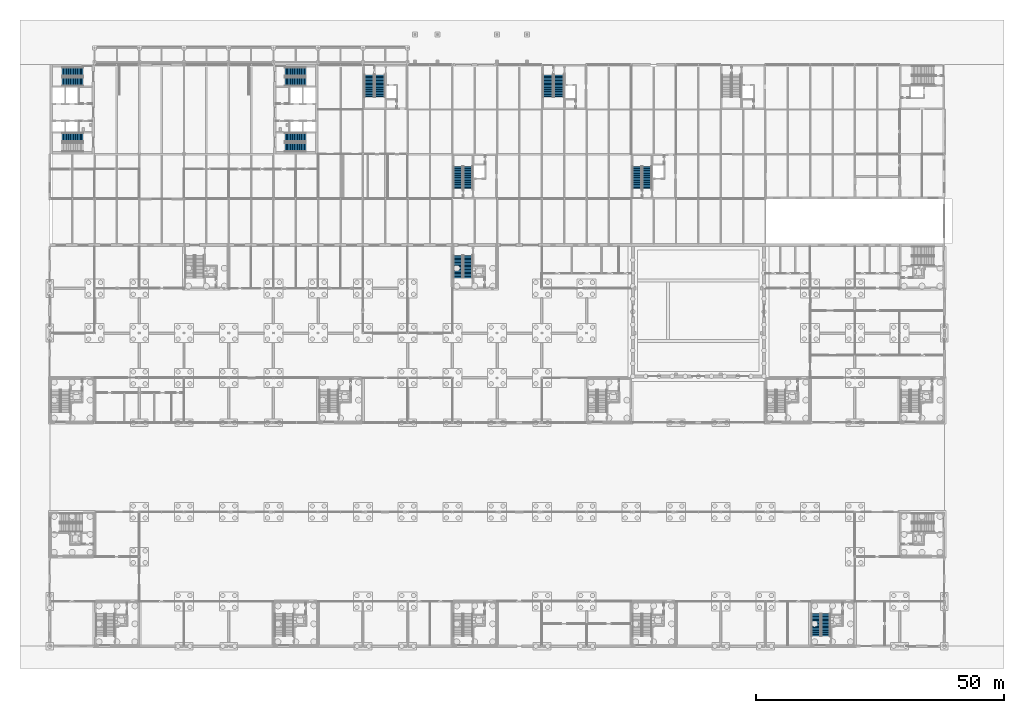
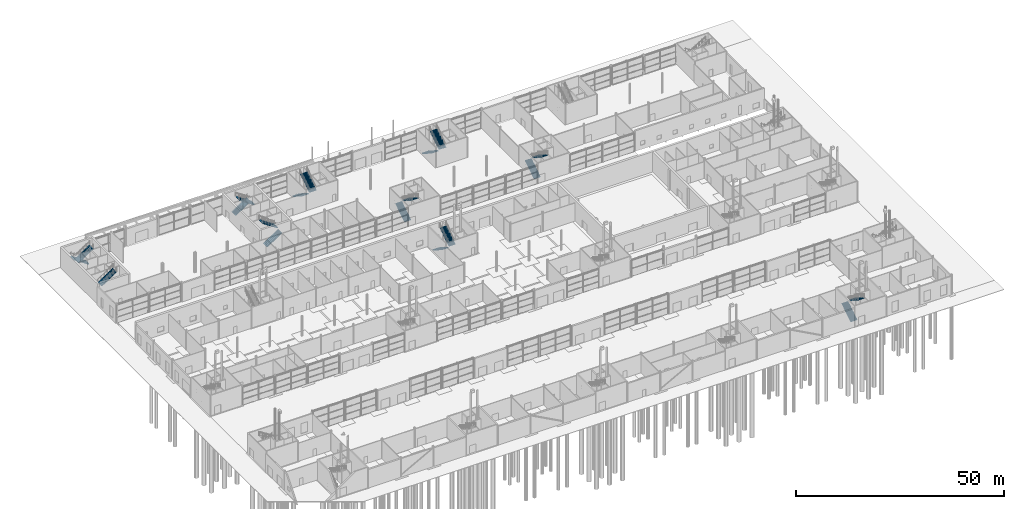
# One storey, part 82 of 97: 19 stair flights, 10 elements without a shape of their own.
"""IFC4 building model written with IfcOpenShell, lengths in metres."""

from ifc_helpers import new_model, si_unit, direction, frame, origin, place, context, subcontext, project, spatial, polyline, outline, extrude, material, type_object, element, aggregate, save


model = new_model("IFC4")

# Units and contexts
model_context = context("Model", 3, precision=1e-05, world=origin(), true_north=direction((0.0, 1.0)))
body_context = subcontext(model_context, "Body", "Model", "MODEL_VIEW")
ifc_project = project(units=[si_unit("LENGTHUNIT", "METRE"), si_unit("AREAUNIT", "SQUARE_METRE"), si_unit("VOLUMEUNIT", "CUBIC_METRE"), si_unit("PLANEANGLEUNIT", "RADIAN"), si_unit("MASSUNIT", "GRAM", prefix="KILO")], contexts=[model_context])

# Site, building, storey
site_placement = place(None, origin())
site = spatial("IfcSite", under=ifc_project, at=site_placement, CompositionType="ELEMENT")
building_placement = place(site_placement, origin())
building = spatial("IfcBuilding", under=site, at=building_placement, Name="Corbel Yard City Hall", CompositionType="ELEMENT")
storey_placement = place(building_placement, origin())
storey = spatial("IfcBuildingStorey", under=building, at=storey_placement, Name="L00", CompositionType="ELEMENT", Elevation=0.0)

# Stair, stair flights
ifc_material = material(Name="Concrete N40 (40 MPa)", Category="concrete")
stair_type_1 = type_object("IfcStairType", Name="ST2", PredefinedType="HALF_TURN_STAIR", material=ifc_material)
stair_1_placement = place(storey_placement, origin())
stair_1 = element("IfcStair", 1, at=stair_1_placement, inside=storey, type_object=stair_type_1, Name="Exit stair L00", PredefinedType="HALF_TURN_STAIR")
stair_flight_type_1 = type_object("IfcStairFlightType", Name="FL2", PredefinedType="STRAIGHT", material=ifc_material)
stair_flight_1_placement = place(storey_placement, frame((154.14990234375, 2.050048828125, 0.0), z_axis=(0.0, 0.0, 1.0), x_axis=(0.0, 1.0, 0.0)))
stair_flight_1 = element("IfcStairFlight", 2, at=stair_flight_1_placement, type_object=stair_flight_type_1, Name="PS5 flight 1", NumberOfRisers=17, NumberOfTreads=16, PredefinedType="STRAIGHT", RiserHeight=0.176471, TreadLength=0.28, context=body_context, shape_type="SweptSolid", body=[
    extrude(outline(polyline([(0.0, 0.0), (0.0, 0.176513671875), (0.280029296875, 0.176513671875), (0.280029296875, 0.35302734375), (0.56005859375, 0.35302734375), (0.56005859375, 0.529296875), (0.840087890625, 0.529296875), (0.840087890625, 0.705810546875), (1.1201171875, 0.705810546875), (1.1201171875, 0.88232421875), (1.39990234375, 0.88232421875), (1.39990234375, 1.058837890625), (1.679931640625, 1.058837890625), (1.679931640625, 1.2353515625), (1.9599609375, 1.2353515625), (1.9599609375, 1.411865234375), (2.239990234375, 1.411865234375), (2.239990234375, 1.588134765625), (2.52001953125, 1.588134765625), (2.52001953125, 1.7646484375), (2.800048828125, 1.7646484375), (2.800048828125, 1.941162109375), (3.080078125, 1.941162109375), (3.080078125, 2.11767578125), (3.360107421875, 2.11767578125), (3.360107421875, 2.294189453125), (3.639892578125, 2.294189453125), (3.639892578125, 2.470703125), (3.919921875, 2.470703125), (3.919921875, 2.64697265625), (4.199951171875, 2.64697265625), (4.199951171875, 2.823486328125), (4.47998046875, 2.823486328125), (4.47998046875, 3.0), (4.47998046875, 2.646240234375), (0.28125, 0.0), (0.0, 0.0)])), frame((0.0, 0.89990234375, 0.0), z_axis=(0.0, -1.0, 0.0), x_axis=(1.0, 0.0, 0.0)), (0.0, 0.0, 1.0), 1.800048828125),
])
stair_flight_2_placement = place(storey_placement, frame((156.14990234375, 6.530029296875, 3.0), z_axis=(0.0, 0.0, 1.0), x_axis=(0.0, -1.0, 0.0)))
stair_flight_2 = element("IfcStairFlight", 3, at=stair_flight_2_placement, type_object=stair_flight_type_1, Name="PS5 flight 2", NumberOfRisers=17, NumberOfTreads=16, PredefinedType="STRAIGHT", RiserHeight=0.176471, TreadLength=0.28, context=body_context, shape_type="SweptSolid", body=[
    extrude(outline(polyline([(0.0, 0.0), (0.0, 0.176513671875), (0.280029296875, 0.176513671875), (0.280029296875, 0.35302734375), (0.56005859375, 0.35302734375), (0.56005859375, 0.529296875), (0.840087890625, 0.529296875), (0.840087890625, 0.705810546875), (1.1201171875, 0.705810546875), (1.1201171875, 0.88232421875), (1.39990234375, 0.88232421875), (1.39990234375, 1.058837890625), (1.679931640625, 1.058837890625), (1.679931640625, 1.2353515625), (1.9599609375, 1.2353515625), (1.9599609375, 1.411865234375), (2.239990234375, 1.411865234375), (2.239990234375, 1.588134765625), (2.52001953125, 1.588134765625), (2.52001953125, 1.7646484375), (2.800048828125, 1.7646484375), (2.800048828125, 1.941162109375), (3.080078125, 1.941162109375), (3.080078125, 2.11767578125), (3.360107421875, 2.11767578125), (3.360107421875, 2.294189453125), (3.639892578125, 2.294189453125), (3.639892578125, 2.470703125), (3.919921875, 2.470703125), (3.919921875, 2.64697265625), (4.199951171875, 2.64697265625), (4.199951171875, 2.823486328125), (4.47998046875, 2.823486328125), (4.47998046875, 3.0), (4.47998046875, 2.646240234375), (0.28125, 0.0), (0.0, 0.0)])), frame((0.0, 0.89990234375, 0.0), z_axis=(0.0, -1.0, 0.0), x_axis=(1.0, 0.0, 0.0)), (0.0, 0.0, 1.0), 1.800048828125),
])
aggregate(stair_1, [stair_flight_1, stair_flight_2])

stair_2_placement = place(storey_placement, origin())
stair_2 = element("IfcStair", 4, at=stair_2_placement, inside=storey, type_object=stair_type_1, Name="Exit stair L00", PredefinedType="HALF_TURN_STAIR")
stair_flight_3_placement = place(storey_placement, frame((82.14990234375, 78.60009765625, 0.0), z_axis=(0.0, 0.0, 1.0), x_axis=(0.0, -1.0, 0.0)))
stair_flight_3 = element("IfcStairFlight", 5, at=stair_flight_3_placement, type_object=stair_flight_type_1, Name="PS14 flight 1", NumberOfRisers=17, NumberOfTreads=16, PredefinedType="STRAIGHT", RiserHeight=0.176471, TreadLength=0.28, context=body_context, shape_type="SweptSolid", body=[
    extrude(outline(polyline([(0.0, 0.0), (0.0, 0.176513671875), (0.280029296875, 0.176513671875), (0.280029296875, 0.35302734375), (0.56005859375, 0.35302734375), (0.56005859375, 0.529296875), (0.840087890625, 0.529296875), (0.840087890625, 0.705810546875), (1.1201171875, 0.705810546875), (1.1201171875, 0.88232421875), (1.39990234375, 0.88232421875), (1.39990234375, 1.058837890625), (1.679931640625, 1.058837890625), (1.679931640625, 1.2353515625), (1.9599609375, 1.2353515625), (1.9599609375, 1.411865234375), (2.239990234375, 1.411865234375), (2.239990234375, 1.588134765625), (2.52001953125, 1.588134765625), (2.52001953125, 1.7646484375), (2.800048828125, 1.7646484375), (2.800048828125, 1.941162109375), (3.080078125, 1.941162109375), (3.080078125, 2.11767578125), (3.360107421875, 2.11767578125), (3.360107421875, 2.294189453125), (3.639892578125, 2.294189453125), (3.639892578125, 2.470703125), (3.919921875, 2.470703125), (3.919921875, 2.64697265625), (4.199951171875, 2.64697265625), (4.199951171875, 2.823486328125), (4.47998046875, 2.823486328125), (4.47998046875, 3.0), (4.47998046875, 2.646240234375), (0.28125, 0.0), (0.0, 0.0)])), frame((0.0, 0.89990234375, 0.0), z_axis=(0.0, -1.0, 0.0), x_axis=(1.0, 0.0, 0.0)), (0.0, 0.0, 1.0), 1.800048828125),
])
stair_flight_4_placement = place(storey_placement, frame((84.14990234375, 74.1201171875, 3.0), z_axis=(0.0, 0.0, 1.0), x_axis=(0.0, 1.0, 0.0)))
stair_flight_4 = element("IfcStairFlight", 6, at=stair_flight_4_placement, type_object=stair_flight_type_1, Name="PS14 flight 2", NumberOfRisers=17, NumberOfTreads=16, PredefinedType="STRAIGHT", RiserHeight=0.176471, TreadLength=0.28, context=body_context, shape_type="SweptSolid", body=[
    extrude(outline(polyline([(0.0, 0.0), (0.0, 0.176513671875), (0.280029296875, 0.176513671875), (0.280029296875, 0.35302734375), (0.56005859375, 0.35302734375), (0.56005859375, 0.529296875), (0.840087890625, 0.529296875), (0.840087890625, 0.705810546875), (1.1201171875, 0.705810546875), (1.1201171875, 0.88232421875), (1.39990234375, 0.88232421875), (1.39990234375, 1.058837890625), (1.679931640625, 1.058837890625), (1.679931640625, 1.2353515625), (1.9599609375, 1.2353515625), (1.9599609375, 1.411865234375), (2.239990234375, 1.411865234375), (2.239990234375, 1.588134765625), (2.52001953125, 1.588134765625), (2.52001953125, 1.7646484375), (2.800048828125, 1.7646484375), (2.800048828125, 1.941162109375), (3.080078125, 1.941162109375), (3.080078125, 2.11767578125), (3.360107421875, 2.11767578125), (3.360107421875, 2.294189453125), (3.639892578125, 2.294189453125), (3.639892578125, 2.470703125), (3.919921875, 2.470703125), (3.919921875, 2.64697265625), (4.199951171875, 2.64697265625), (4.199951171875, 2.823486328125), (4.47998046875, 2.823486328125), (4.47998046875, 3.0), (4.47998046875, 2.646240234375), (0.28125, 0.0), (0.0, 0.0)])), frame((0.0, 0.89990234375, 0.0), z_axis=(0.0, -1.0, 0.0), x_axis=(1.0, 0.0, 0.0)), (0.0, 0.0, 1.0), 1.800048828125),
])
aggregate(stair_2, [stair_flight_3, stair_flight_4])

stair_3_placement = place(storey_placement, origin())
stair_3 = element("IfcStair", 7, at=stair_3_placement, inside=storey, type_object=stair_type_1, Name="Exit stair L00", PredefinedType="HALF_TURN_STAIR")
stair_flight_5_placement = place(storey_placement, frame((82.14990234375, 92.050048828125, 0.0), z_axis=(0.0, 0.0, 1.0), x_axis=(0.0, 1.0, 0.0)))
stair_flight_5 = element("IfcStairFlight", 8, at=stair_flight_5_placement, type_object=stair_flight_type_1, Name="PS20 flight 1", NumberOfRisers=17, NumberOfTreads=16, PredefinedType="STRAIGHT", RiserHeight=0.176471, TreadLength=0.28, context=body_context, shape_type="SweptSolid", body=[
    extrude(outline(polyline([(0.0, 0.0), (0.0, 0.176513671875), (0.280029296875, 0.176513671875), (0.280029296875, 0.35302734375), (0.56005859375, 0.35302734375), (0.56005859375, 0.529296875), (0.840087890625, 0.529296875), (0.840087890625, 0.705810546875), (1.1201171875, 0.705810546875), (1.1201171875, 0.88232421875), (1.39990234375, 0.88232421875), (1.39990234375, 1.058837890625), (1.679931640625, 1.058837890625), (1.679931640625, 1.2353515625), (1.9599609375, 1.2353515625), (1.9599609375, 1.411865234375), (2.239990234375, 1.411865234375), (2.239990234375, 1.588134765625), (2.52001953125, 1.588134765625), (2.52001953125, 1.7646484375), (2.800048828125, 1.7646484375), (2.800048828125, 1.941162109375), (3.080078125, 1.941162109375), (3.080078125, 2.11767578125), (3.360107421875, 2.11767578125), (3.360107421875, 2.294189453125), (3.639892578125, 2.294189453125), (3.639892578125, 2.470703125), (3.919921875, 2.470703125), (3.919921875, 2.64697265625), (4.199951171875, 2.64697265625), (4.199951171875, 2.823486328125), (4.47998046875, 2.823486328125), (4.47998046875, 3.0), (4.47998046875, 2.646240234375), (0.28125, 0.0), (0.0, 0.0)])), frame((0.0, 0.89990234375, 0.0), z_axis=(0.0, -1.0, 0.0), x_axis=(1.0, 0.0, 0.0)), (0.0, 0.0, 1.0), 1.800048828125),
])
stair_flight_6_placement = place(storey_placement, frame((84.14990234375, 96.530029296875, 3.0), z_axis=(0.0, 0.0, 1.0), x_axis=(0.0, -1.0, 0.0)))
stair_flight_6 = element("IfcStairFlight", 9, at=stair_flight_6_placement, type_object=stair_flight_type_1, Name="PS20 flight 2", NumberOfRisers=17, NumberOfTreads=16, PredefinedType="STRAIGHT", RiserHeight=0.176471, TreadLength=0.28, context=body_context, shape_type="SweptSolid", body=[
    extrude(outline(polyline([(0.0, 0.0), (0.0, 0.176513671875), (0.280029296875, 0.176513671875), (0.280029296875, 0.35302734375), (0.56005859375, 0.35302734375), (0.56005859375, 0.529296875), (0.840087890625, 0.529296875), (0.840087890625, 0.705810546875), (1.1201171875, 0.705810546875), (1.1201171875, 0.88232421875), (1.39990234375, 0.88232421875), (1.39990234375, 1.058837890625), (1.679931640625, 1.058837890625), (1.679931640625, 1.2353515625), (1.9599609375, 1.2353515625), (1.9599609375, 1.411865234375), (2.239990234375, 1.411865234375), (2.239990234375, 1.588134765625), (2.52001953125, 1.588134765625), (2.52001953125, 1.7646484375), (2.800048828125, 1.7646484375), (2.800048828125, 1.941162109375), (3.080078125, 1.941162109375), (3.080078125, 2.11767578125), (3.360107421875, 2.11767578125), (3.360107421875, 2.294189453125), (3.639892578125, 2.294189453125), (3.639892578125, 2.470703125), (3.919921875, 2.470703125), (3.919921875, 2.64697265625), (4.199951171875, 2.64697265625), (4.199951171875, 2.823486328125), (4.47998046875, 2.823486328125), (4.47998046875, 3.0), (4.47998046875, 2.646240234375), (0.28125, 0.0), (0.0, 0.0)])), frame((0.0, 0.89990234375, 0.0), z_axis=(0.0, -1.0, 0.0), x_axis=(1.0, 0.0, 0.0)), (0.0, 0.0, 1.0), 1.800048828125),
])
aggregate(stair_3, [stair_flight_5, stair_flight_6])

stair_4_placement = place(storey_placement, origin())
stair_4 = element("IfcStair", 10, at=stair_4_placement, inside=storey, type_object=stair_type_1, Name="Exit stair L00", PredefinedType="HALF_TURN_STAIR")
stair_flight_7_placement = place(storey_placement, frame((118.14990234375, 92.050048828125, 0.0), z_axis=(0.0, 0.0, 1.0), x_axis=(0.0, 1.0, 0.0)))
stair_flight_7 = element("IfcStairFlight", 11, at=stair_flight_7_placement, type_object=stair_flight_type_1, Name="PS21 flight 1", NumberOfRisers=17, NumberOfTreads=16, PredefinedType="STRAIGHT", RiserHeight=0.176471, TreadLength=0.28, context=body_context, shape_type="SweptSolid", body=[
    extrude(outline(polyline([(0.0, 0.0), (0.0, 0.176513671875), (0.280029296875, 0.176513671875), (0.280029296875, 0.35302734375), (0.56005859375, 0.35302734375), (0.56005859375, 0.529296875), (0.840087890625, 0.529296875), (0.840087890625, 0.705810546875), (1.1201171875, 0.705810546875), (1.1201171875, 0.88232421875), (1.39990234375, 0.88232421875), (1.39990234375, 1.058837890625), (1.679931640625, 1.058837890625), (1.679931640625, 1.2353515625), (1.9599609375, 1.2353515625), (1.9599609375, 1.411865234375), (2.239990234375, 1.411865234375), (2.239990234375, 1.588134765625), (2.52001953125, 1.588134765625), (2.52001953125, 1.7646484375), (2.800048828125, 1.7646484375), (2.800048828125, 1.941162109375), (3.080078125, 1.941162109375), (3.080078125, 2.11767578125), (3.360107421875, 2.11767578125), (3.360107421875, 2.294189453125), (3.639892578125, 2.294189453125), (3.639892578125, 2.470703125), (3.919921875, 2.470703125), (3.919921875, 2.64697265625), (4.199951171875, 2.64697265625), (4.199951171875, 2.823486328125), (4.47998046875, 2.823486328125), (4.47998046875, 3.0), (4.47998046875, 2.646240234375), (0.28125, 0.0), (0.0, 0.0)])), frame((0.0, 0.89990234375, 0.0), z_axis=(0.0, -1.0, 0.0), x_axis=(1.0, 0.0, 0.0)), (0.0, 0.0, 1.0), 1.800048828125),
])
stair_flight_8_placement = place(storey_placement, frame((120.14990234375, 96.530029296875, 3.0), z_axis=(0.0, 0.0, 1.0), x_axis=(0.0, -1.0, 0.0)))
stair_flight_8 = element("IfcStairFlight", 12, at=stair_flight_8_placement, type_object=stair_flight_type_1, Name="PS21 flight 2", NumberOfRisers=17, NumberOfTreads=16, PredefinedType="STRAIGHT", RiserHeight=0.176471, TreadLength=0.28, context=body_context, shape_type="SweptSolid", body=[
    extrude(outline(polyline([(0.0, 0.0), (0.0, 0.176513671875), (0.280029296875, 0.176513671875), (0.280029296875, 0.35302734375), (0.56005859375, 0.35302734375), (0.56005859375, 0.529296875), (0.840087890625, 0.529296875), (0.840087890625, 0.705810546875), (1.1201171875, 0.705810546875), (1.1201171875, 0.88232421875), (1.39990234375, 0.88232421875), (1.39990234375, 1.058837890625), (1.679931640625, 1.058837890625), (1.679931640625, 1.2353515625), (1.9599609375, 1.2353515625), (1.9599609375, 1.411865234375), (2.239990234375, 1.411865234375), (2.239990234375, 1.588134765625), (2.52001953125, 1.588134765625), (2.52001953125, 1.7646484375), (2.800048828125, 1.7646484375), (2.800048828125, 1.941162109375), (3.080078125, 1.941162109375), (3.080078125, 2.11767578125), (3.360107421875, 2.11767578125), (3.360107421875, 2.294189453125), (3.639892578125, 2.294189453125), (3.639892578125, 2.470703125), (3.919921875, 2.470703125), (3.919921875, 2.64697265625), (4.199951171875, 2.64697265625), (4.199951171875, 2.823486328125), (4.47998046875, 2.823486328125), (4.47998046875, 3.0), (4.47998046875, 2.646240234375), (0.28125, 0.0), (0.0, 0.0)])), frame((0.0, 0.89990234375, 0.0), z_axis=(0.0, -1.0, 0.0), x_axis=(1.0, 0.0, 0.0)), (0.0, 0.0, 1.0), 1.800048828125),
])
aggregate(stair_4, [stair_flight_7, stair_flight_8])

stair_type_2 = type_object("IfcStairType", Name="ST32", PredefinedType="HALF_TURN_STAIR", material=ifc_material)
stair_5_placement = place(storey_placement, origin())
stair_5 = element("IfcStair", 13, at=stair_5_placement, inside=storey, type_object=stair_type_2, Name="Exit stair L00", PredefinedType="HALF_TURN_STAIR")
stair_flight_type_2 = type_object("IfcStairFlightType", Name="FL32", PredefinedType="STRAIGHT", material=ifc_material)
stair_flight_9_placement = place(storey_placement, frame((64.25, 114.949951171875, 0.0), z_axis=(0.0, 0.0, 1.0), x_axis=(0.0, -1.0, 0.0)))
stair_flight_9 = element("IfcStairFlight", 14, at=stair_flight_9_placement, type_object=stair_flight_type_2, Name="PS16 flight 1", NumberOfRisers=17, NumberOfTreads=16, PredefinedType="STRAIGHT", RiserHeight=0.176471, TreadLength=0.28, context=body_context, shape_type="SweptSolid", body=[
    extrude(outline(polyline([(0.0, 0.0), (0.0, 0.176513671875), (0.280029296875, 0.176513671875), (0.280029296875, 0.35302734375), (0.56005859375, 0.35302734375), (0.56005859375, 0.529296875), (0.840087890625, 0.529296875), (0.840087890625, 0.705810546875), (1.1201171875, 0.705810546875), (1.1201171875, 0.88232421875), (1.39990234375, 0.88232421875), (1.39990234375, 1.058837890625), (1.679931640625, 1.058837890625), (1.679931640625, 1.2353515625), (1.9599609375, 1.2353515625), (1.9599609375, 1.411865234375), (2.239990234375, 1.411865234375), (2.239990234375, 1.588134765625), (2.52001953125, 1.588134765625), (2.52001953125, 1.7646484375), (2.800048828125, 1.7646484375), (2.800048828125, 1.941162109375), (3.080078125, 1.941162109375), (3.080078125, 2.11767578125), (3.360107421875, 2.11767578125), (3.360107421875, 2.294189453125), (3.639892578125, 2.294189453125), (3.639892578125, 2.470703125), (3.919921875, 2.470703125), (3.919921875, 2.64697265625), (4.199951171875, 2.64697265625), (4.199951171875, 2.823486328125), (4.47998046875, 2.823486328125), (4.47998046875, 3.0), (4.47998046875, 2.646240234375), (0.28125, 0.0), (0.0, 0.0)])), frame((0.0, 1.0, 0.0), z_axis=(0.0, -1.0, 0.0), x_axis=(1.0, 0.0, 0.0)), (0.0, 0.0, 1.0), 2.0),
])
stair_flight_10_placement = place(storey_placement, frame((66.449951171875, 110.469970703125, 3.0), z_axis=(0.0, 0.0, 1.0), x_axis=(0.0, 1.0, 0.0)))
stair_flight_10 = element("IfcStairFlight", 15, at=stair_flight_10_placement, type_object=stair_flight_type_2, Name="PS16 flight 2", NumberOfRisers=17, NumberOfTreads=16, PredefinedType="STRAIGHT", RiserHeight=0.176471, TreadLength=0.28, context=body_context, shape_type="SweptSolid", body=[
    extrude(outline(polyline([(0.0, 0.0), (0.0, 0.176513671875), (0.280029296875, 0.176513671875), (0.280029296875, 0.35302734375), (0.56005859375, 0.35302734375), (0.56005859375, 0.529296875), (0.840087890625, 0.529296875), (0.840087890625, 0.705810546875), (1.1201171875, 0.705810546875), (1.1201171875, 0.88232421875), (1.39990234375, 0.88232421875), (1.39990234375, 1.058837890625), (1.679931640625, 1.058837890625), (1.679931640625, 1.2353515625), (1.9599609375, 1.2353515625), (1.9599609375, 1.411865234375), (2.239990234375, 1.411865234375), (2.239990234375, 1.588134765625), (2.52001953125, 1.588134765625), (2.52001953125, 1.7646484375), (2.800048828125, 1.7646484375), (2.800048828125, 1.941162109375), (3.080078125, 1.941162109375), (3.080078125, 2.11767578125), (3.360107421875, 2.11767578125), (3.360107421875, 2.294189453125), (3.639892578125, 2.294189453125), (3.639892578125, 2.470703125), (3.919921875, 2.470703125), (3.919921875, 2.64697265625), (4.199951171875, 2.64697265625), (4.199951171875, 2.823486328125), (4.47998046875, 2.823486328125), (4.47998046875, 3.0), (4.47998046875, 2.646240234375), (0.28125, 0.0), (0.0, 0.0)])), frame((0.0, 1.0, 0.0), z_axis=(0.0, -1.0, 0.0), x_axis=(1.0, 0.0, 0.0)), (0.0, 0.0, 1.0), 2.0),
])
aggregate(stair_5, [stair_flight_9, stair_flight_10])

stair_6_placement = place(storey_placement, origin())
stair_6 = element("IfcStair", 16, at=stair_6_placement, inside=storey, type_object=stair_type_2, Name="Exit stair L00", PredefinedType="HALF_TURN_STAIR")
stair_flight_11_placement = place(storey_placement, frame((100.25, 114.949951171875, 0.0), z_axis=(0.0, 0.0, 1.0), x_axis=(0.0, -1.0, 0.0)))
stair_flight_11 = element("IfcStairFlight", 17, at=stair_flight_11_placement, type_object=stair_flight_type_2, Name="PS17 flight 1", NumberOfRisers=17, NumberOfTreads=16, PredefinedType="STRAIGHT", RiserHeight=0.176471, TreadLength=0.28, context=body_context, shape_type="SweptSolid", body=[
    extrude(outline(polyline([(0.0, 0.0), (0.0, 0.176513671875), (0.280029296875, 0.176513671875), (0.280029296875, 0.35302734375), (0.56005859375, 0.35302734375), (0.56005859375, 0.529296875), (0.840087890625, 0.529296875), (0.840087890625, 0.705810546875), (1.1201171875, 0.705810546875), (1.1201171875, 0.88232421875), (1.39990234375, 0.88232421875), (1.39990234375, 1.058837890625), (1.679931640625, 1.058837890625), (1.679931640625, 1.2353515625), (1.9599609375, 1.2353515625), (1.9599609375, 1.411865234375), (2.239990234375, 1.411865234375), (2.239990234375, 1.588134765625), (2.52001953125, 1.588134765625), (2.52001953125, 1.7646484375), (2.800048828125, 1.7646484375), (2.800048828125, 1.941162109375), (3.080078125, 1.941162109375), (3.080078125, 2.11767578125), (3.360107421875, 2.11767578125), (3.360107421875, 2.294189453125), (3.639892578125, 2.294189453125), (3.639892578125, 2.470703125), (3.919921875, 2.470703125), (3.919921875, 2.64697265625), (4.199951171875, 2.64697265625), (4.199951171875, 2.823486328125), (4.47998046875, 2.823486328125), (4.47998046875, 3.0), (4.47998046875, 2.646240234375), (0.28125, 0.0), (0.0, 0.0)])), frame((0.0, 1.0, 0.0), z_axis=(0.0, -1.0, 0.0), x_axis=(1.0, 0.0, 0.0)), (0.0, 0.0, 1.0), 2.0),
])
stair_flight_12_placement = place(storey_placement, frame((102.449951171875, 110.469970703125, 3.0), z_axis=(0.0, 0.0, 1.0), x_axis=(0.0, 1.0, 0.0)))
stair_flight_12 = element("IfcStairFlight", 18, at=stair_flight_12_placement, type_object=stair_flight_type_2, Name="PS17 flight 2", NumberOfRisers=17, NumberOfTreads=16, PredefinedType="STRAIGHT", RiserHeight=0.176471, TreadLength=0.28, context=body_context, shape_type="SweptSolid", body=[
    extrude(outline(polyline([(0.0, 0.0), (0.0, 0.176513671875), (0.280029296875, 0.176513671875), (0.280029296875, 0.35302734375), (0.56005859375, 0.35302734375), (0.56005859375, 0.529296875), (0.840087890625, 0.529296875), (0.840087890625, 0.705810546875), (1.1201171875, 0.705810546875), (1.1201171875, 0.88232421875), (1.39990234375, 0.88232421875), (1.39990234375, 1.058837890625), (1.679931640625, 1.058837890625), (1.679931640625, 1.2353515625), (1.9599609375, 1.2353515625), (1.9599609375, 1.411865234375), (2.239990234375, 1.411865234375), (2.239990234375, 1.588134765625), (2.52001953125, 1.588134765625), (2.52001953125, 1.7646484375), (2.800048828125, 1.7646484375), (2.800048828125, 1.941162109375), (3.080078125, 1.941162109375), (3.080078125, 2.11767578125), (3.360107421875, 2.11767578125), (3.360107421875, 2.294189453125), (3.639892578125, 2.294189453125), (3.639892578125, 2.470703125), (3.919921875, 2.470703125), (3.919921875, 2.64697265625), (4.199951171875, 2.64697265625), (4.199951171875, 2.823486328125), (4.47998046875, 2.823486328125), (4.47998046875, 3.0), (4.47998046875, 2.646240234375), (0.28125, 0.0), (0.0, 0.0)])), frame((0.0, 1.0, 0.0), z_axis=(0.0, -1.0, 0.0), x_axis=(1.0, 0.0, 0.0)), (0.0, 0.0, 1.0), 2.0),
])
aggregate(stair_6, [stair_flight_11, stair_flight_12])

# Stair, stair flight
stair_type_3 = type_object("IfcStairType", Name="ST6", PredefinedType="HALF_TURN_STAIR", material=ifc_material)
stair_7_placement = place(storey_placement, origin())
stair_7 = element("IfcStair", 19, at=stair_7_placement, inside=storey, type_object=stair_type_3, Name="Exit stair ST-W1 L00", PredefinedType="HALF_TURN_STAIR")
stair_flight_type_3 = type_object("IfcStairFlightType", Name="FL6", PredefinedType="STRAIGHT", material=ifc_material)
stair_flight_13_placement = place(storey_placement, frame((2.5, 102.39990234375, 3.0), z_axis=(0.0, 0.0, 1.0), x_axis=(1.0, 0.0, 0.0)))
stair_flight_13 = element("IfcStairFlight", 20, at=stair_flight_13_placement, type_object=stair_flight_type_3, Name="ST-W1 flight 2", NumberOfRisers=16, NumberOfTreads=15, PredefinedType="STRAIGHT", RiserHeight=0.1875, TreadLength=0.28, context=body_context, shape_type="SweptSolid", body=[
    extrude(outline(polyline([(0.0, 0.0), (0.0, 0.1875), (0.280029296875, 0.1875), (0.280029296875, 0.375), (0.56005859375, 0.375), (0.56005859375, 0.5625), (0.840087890625, 0.5625), (0.840087890625, 0.75), (1.1201171875, 0.75), (1.1201171875, 0.9375), (1.39990234375, 0.9375), (1.39990234375, 1.125), (1.679931640625, 1.125), (1.679931640625, 1.3125), (1.9599609375, 1.3125), (1.9599609375, 1.5), (2.239990234375, 1.5), (2.239990234375, 1.6875), (2.52001953125, 1.6875), (2.52001953125, 1.875), (2.800048828125, 1.875), (2.800048828125, 2.0625), (3.080078125, 2.0625), (3.080078125, 2.25), (3.360107421875, 2.25), (3.360107421875, 2.4375), (3.639892578125, 2.4375), (3.639892578125, 2.625), (3.919921875, 2.625), (3.919921875, 2.8125), (4.199951171875, 2.8125), (4.199951171875, 3.0), (4.199951171875, 2.632080078125), (0.26953125, 0.0), (0.0, 0.0)])), frame((0.0, 0.89990234375, 0.0), z_axis=(0.0, -1.0, 0.0), x_axis=(1.0, 0.0, 0.0)), (0.0, 0.0, 1.0), 1.800048828125),
])
aggregate(stair_7, [stair_flight_13])

# Stair, stair flights
stair_8_placement = place(storey_placement, origin())
stair_8 = element("IfcStair", 21, at=stair_8_placement, inside=storey, type_object=stair_type_3, Name="Exit stair ST-W2 L00", PredefinedType="HALF_TURN_STAIR")
stair_flight_14_placement = place(storey_placement, frame((6.699951171875, 115.60009765625, 0.0), z_axis=(0.0, 0.0, 1.0), x_axis=(-1.0, 0.0, 0.0)))
stair_flight_14 = element("IfcStairFlight", 22, at=stair_flight_14_placement, type_object=stair_flight_type_3, Name="ST-W2 flight 1", NumberOfRisers=16, NumberOfTreads=15, PredefinedType="STRAIGHT", RiserHeight=0.1875, TreadLength=0.28, context=body_context, shape_type="SweptSolid", body=[
    extrude(outline(polyline([(0.0, 0.0), (0.0, 0.1875), (0.280029296875, 0.1875), (0.280029296875, 0.375), (0.56005859375, 0.375), (0.56005859375, 0.5625), (0.840087890625, 0.5625), (0.840087890625, 0.75), (1.1201171875, 0.75), (1.1201171875, 0.9375), (1.39990234375, 0.9375), (1.39990234375, 1.125), (1.679931640625, 1.125), (1.679931640625, 1.3125), (1.9599609375, 1.3125), (1.9599609375, 1.5), (2.239990234375, 1.5), (2.239990234375, 1.6875), (2.52001953125, 1.6875), (2.52001953125, 1.875), (2.800048828125, 1.875), (2.800048828125, 2.0625), (3.080078125, 2.0625), (3.080078125, 2.25), (3.360107421875, 2.25), (3.360107421875, 2.4375), (3.639892578125, 2.4375), (3.639892578125, 2.625), (3.919921875, 2.625), (3.919921875, 2.8125), (4.199951171875, 2.8125), (4.199951171875, 3.0), (4.199951171875, 2.632080078125), (0.26953125, 0.0), (0.0, 0.0)])), frame((0.0, 0.89990234375, 0.0), z_axis=(0.0, -1.0, 0.0), x_axis=(1.0, 0.0, 0.0)), (0.0, 0.0, 1.0), 1.800048828125),
])
stair_flight_15_placement = place(storey_placement, frame((2.5, 113.60009765625, 3.0), z_axis=(0.0, 0.0, 1.0), x_axis=(1.0, 0.0, 0.0)))
stair_flight_15 = element("IfcStairFlight", 23, at=stair_flight_15_placement, type_object=stair_flight_type_3, Name="ST-W2 flight 2", NumberOfRisers=16, NumberOfTreads=15, PredefinedType="STRAIGHT", RiserHeight=0.1875, TreadLength=0.28, context=body_context, shape_type="SweptSolid", body=[
    extrude(outline(polyline([(0.0, 0.0), (0.0, 0.1875), (0.280029296875, 0.1875), (0.280029296875, 0.375), (0.56005859375, 0.375), (0.56005859375, 0.5625), (0.840087890625, 0.5625), (0.840087890625, 0.75), (1.1201171875, 0.75), (1.1201171875, 0.9375), (1.39990234375, 0.9375), (1.39990234375, 1.125), (1.679931640625, 1.125), (1.679931640625, 1.3125), (1.9599609375, 1.3125), (1.9599609375, 1.5), (2.239990234375, 1.5), (2.239990234375, 1.6875), (2.52001953125, 1.6875), (2.52001953125, 1.875), (2.800048828125, 1.875), (2.800048828125, 2.0625), (3.080078125, 2.0625), (3.080078125, 2.25), (3.360107421875, 2.25), (3.360107421875, 2.4375), (3.639892578125, 2.4375), (3.639892578125, 2.625), (3.919921875, 2.625), (3.919921875, 2.8125), (4.199951171875, 2.8125), (4.199951171875, 3.0), (4.199951171875, 2.632080078125), (0.26953125, 0.0), (0.0, 0.0)])), frame((0.0, 0.89990234375, 0.0), z_axis=(0.0, -1.0, 0.0), x_axis=(1.0, 0.0, 0.0)), (0.0, 0.0, 1.0), 1.800048828125),
])
aggregate(stair_8, [stair_flight_14, stair_flight_15])

stair_9_placement = place(storey_placement, origin())
stair_9 = element("IfcStair", 24, at=stair_9_placement, inside=storey, type_object=stair_type_3, Name="Exit stair ST-E1 L00", PredefinedType="HALF_TURN_STAIR")
stair_flight_16_placement = place(storey_placement, frame((47.300048828125, 100.39990234375, 0.0), z_axis=(0.0, 0.0, 1.0), x_axis=(1.0, 0.0, 0.0)))
stair_flight_16 = element("IfcStairFlight", 25, at=stair_flight_16_placement, type_object=stair_flight_type_3, Name="ST-E1 flight 1", NumberOfRisers=16, NumberOfTreads=15, PredefinedType="STRAIGHT", RiserHeight=0.1875, TreadLength=0.28, context=body_context, shape_type="SweptSolid", body=[
    extrude(outline(polyline([(0.0, 0.0), (0.0, 0.1875), (0.280029296875, 0.1875), (0.280029296875, 0.375), (0.56005859375, 0.375), (0.56005859375, 0.5625), (0.840087890625, 0.5625), (0.840087890625, 0.75), (1.1201171875, 0.75), (1.1201171875, 0.9375), (1.39990234375, 0.9375), (1.39990234375, 1.125), (1.679931640625, 1.125), (1.679931640625, 1.3125), (1.9599609375, 1.3125), (1.9599609375, 1.5), (2.239990234375, 1.5), (2.239990234375, 1.6875), (2.52001953125, 1.6875), (2.52001953125, 1.875), (2.800048828125, 1.875), (2.800048828125, 2.0625), (3.080078125, 2.0625), (3.080078125, 2.25), (3.360107421875, 2.25), (3.360107421875, 2.4375), (3.639892578125, 2.4375), (3.639892578125, 2.625), (3.919921875, 2.625), (3.919921875, 2.8125), (4.199951171875, 2.8125), (4.199951171875, 3.0), (4.199951171875, 2.632080078125), (0.26953125, 0.0), (0.0, 0.0)])), frame((0.0, 0.89990234375, 0.0), z_axis=(0.0, -1.0, 0.0), x_axis=(1.0, 0.0, 0.0)), (0.0, 0.0, 1.0), 1.800048828125),
])
stair_flight_17_placement = place(storey_placement, frame((51.5, 102.39990234375, 3.0), z_axis=(0.0, 0.0, 1.0), x_axis=(-1.0, 0.0, 0.0)))
stair_flight_17 = element("IfcStairFlight", 26, at=stair_flight_17_placement, type_object=stair_flight_type_3, Name="ST-E1 flight 2", NumberOfRisers=16, NumberOfTreads=15, PredefinedType="STRAIGHT", RiserHeight=0.1875, TreadLength=0.28, context=body_context, shape_type="SweptSolid", body=[
    extrude(outline(polyline([(0.0, 0.0), (0.0, 0.1875), (0.280029296875, 0.1875), (0.280029296875, 0.375), (0.56005859375, 0.375), (0.56005859375, 0.5625), (0.840087890625, 0.5625), (0.840087890625, 0.75), (1.1201171875, 0.75), (1.1201171875, 0.9375), (1.39990234375, 0.9375), (1.39990234375, 1.125), (1.679931640625, 1.125), (1.679931640625, 1.3125), (1.9599609375, 1.3125), (1.9599609375, 1.5), (2.239990234375, 1.5), (2.239990234375, 1.6875), (2.52001953125, 1.6875), (2.52001953125, 1.875), (2.800048828125, 1.875), (2.800048828125, 2.0625), (3.080078125, 2.0625), (3.080078125, 2.25), (3.360107421875, 2.25), (3.360107421875, 2.4375), (3.639892578125, 2.4375), (3.639892578125, 2.625), (3.919921875, 2.625), (3.919921875, 2.8125), (4.199951171875, 2.8125), (4.199951171875, 3.0), (4.199951171875, 2.632080078125), (0.26953125, 0.0), (0.0, 0.0)])), frame((0.0, 0.89990234375, 0.0), z_axis=(0.0, -1.0, 0.0), x_axis=(1.0, 0.0, 0.0)), (0.0, 0.0, 1.0), 1.800048828125),
])
aggregate(stair_9, [stair_flight_16, stair_flight_17])

stair_10_placement = place(storey_placement, origin())
stair_10 = element("IfcStair", 27, at=stair_10_placement, inside=storey, type_object=stair_type_3, Name="Exit stair ST-E2 L00", PredefinedType="HALF_TURN_STAIR")
stair_flight_18_placement = place(storey_placement, frame((47.300048828125, 115.60009765625, 0.0), z_axis=(0.0, 0.0, 1.0), x_axis=(1.0, 0.0, 0.0)))
stair_flight_18 = element("IfcStairFlight", 28, at=stair_flight_18_placement, type_object=stair_flight_type_3, Name="ST-E2 flight 1", NumberOfRisers=16, NumberOfTreads=15, PredefinedType="STRAIGHT", RiserHeight=0.1875, TreadLength=0.28, context=body_context, shape_type="SweptSolid", body=[
    extrude(outline(polyline([(0.0, 0.0), (0.0, 0.1875), (0.280029296875, 0.1875), (0.280029296875, 0.375), (0.56005859375, 0.375), (0.56005859375, 0.5625), (0.840087890625, 0.5625), (0.840087890625, 0.75), (1.1201171875, 0.75), (1.1201171875, 0.9375), (1.39990234375, 0.9375), (1.39990234375, 1.125), (1.679931640625, 1.125), (1.679931640625, 1.3125), (1.9599609375, 1.3125), (1.9599609375, 1.5), (2.239990234375, 1.5), (2.239990234375, 1.6875), (2.52001953125, 1.6875), (2.52001953125, 1.875), (2.800048828125, 1.875), (2.800048828125, 2.0625), (3.080078125, 2.0625), (3.080078125, 2.25), (3.360107421875, 2.25), (3.360107421875, 2.4375), (3.639892578125, 2.4375), (3.639892578125, 2.625), (3.919921875, 2.625), (3.919921875, 2.8125), (4.199951171875, 2.8125), (4.199951171875, 3.0), (4.199951171875, 2.632080078125), (0.26953125, 0.0), (0.0, 0.0)])), frame((0.0, 0.89990234375, 0.0), z_axis=(0.0, -1.0, 0.0), x_axis=(1.0, 0.0, 0.0)), (0.0, 0.0, 1.0), 1.800048828125),
])
stair_flight_19_placement = place(storey_placement, frame((51.5, 113.60009765625, 3.0), z_axis=(0.0, 0.0, 1.0), x_axis=(-1.0, 0.0, 0.0)))
stair_flight_19 = element("IfcStairFlight", 29, at=stair_flight_19_placement, type_object=stair_flight_type_3, Name="ST-E2 flight 2", NumberOfRisers=16, NumberOfTreads=15, PredefinedType="STRAIGHT", RiserHeight=0.1875, TreadLength=0.28, context=body_context, shape_type="SweptSolid", body=[
    extrude(outline(polyline([(0.0, 0.0), (0.0, 0.1875), (0.280029296875, 0.1875), (0.280029296875, 0.375), (0.56005859375, 0.375), (0.56005859375, 0.5625), (0.840087890625, 0.5625), (0.840087890625, 0.75), (1.1201171875, 0.75), (1.1201171875, 0.9375), (1.39990234375, 0.9375), (1.39990234375, 1.125), (1.679931640625, 1.125), (1.679931640625, 1.3125), (1.9599609375, 1.3125), (1.9599609375, 1.5), (2.239990234375, 1.5), (2.239990234375, 1.6875), (2.52001953125, 1.6875), (2.52001953125, 1.875), (2.800048828125, 1.875), (2.800048828125, 2.0625), (3.080078125, 2.0625), (3.080078125, 2.25), (3.360107421875, 2.25), (3.360107421875, 2.4375), (3.639892578125, 2.4375), (3.639892578125, 2.625), (3.919921875, 2.625), (3.919921875, 2.8125), (4.199951171875, 2.8125), (4.199951171875, 3.0), (4.199951171875, 2.632080078125), (0.26953125, 0.0), (0.0, 0.0)])), frame((0.0, 0.89990234375, 0.0), z_axis=(0.0, -1.0, 0.0), x_axis=(1.0, 0.0, 0.0)), (0.0, 0.0, 1.0), 1.800048828125),
])
aggregate(stair_10, [stair_flight_18, stair_flight_19])

save(model, "model.ifc")
